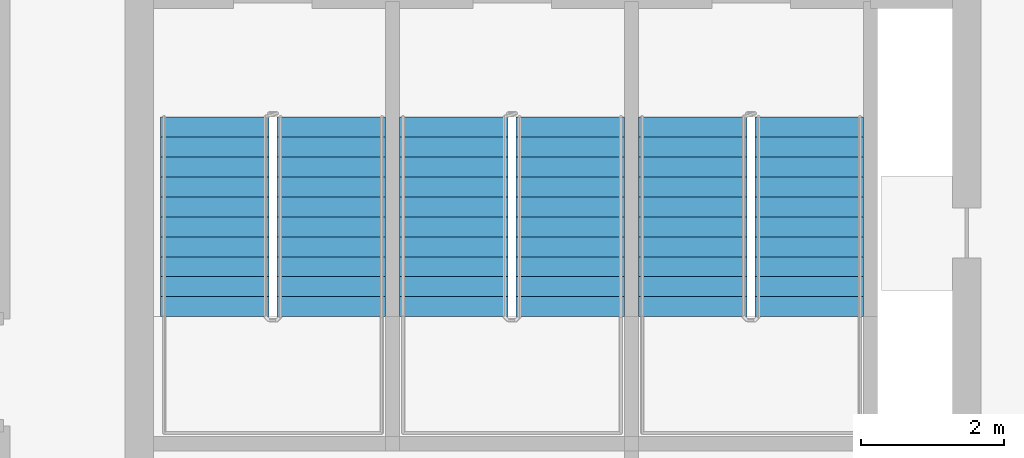
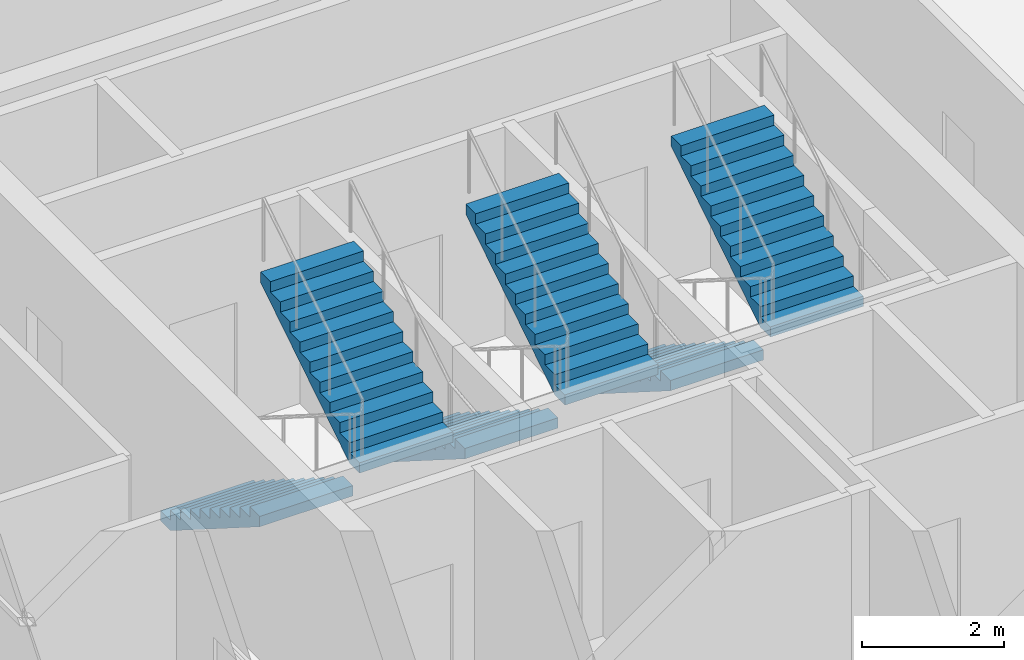
# One storey, part 9 of 11: 6 stair flights, 3 elements without a shape of their own.
"""IFC4 building model written with IfcOpenShell, lengths in metres."""

from ifc_helpers import new_model, si_unit, direction, frame, origin, place, context, subcontext, project, spatial, polyline, outline, extrude, material, type_object, element, aggregate, save


model = new_model("IFC4")

# Units and contexts
model_context = context("Model", 3, precision=1e-05, world=origin(), true_north=direction((0.0, 1.0)))
body_context = subcontext(model_context, "Body", "Model", "MODEL_VIEW")
ifc_project = project(units=[si_unit("LENGTHUNIT", "METRE"), si_unit("AREAUNIT", "SQUARE_METRE"), si_unit("VOLUMEUNIT", "CUBIC_METRE"), si_unit("PLANEANGLEUNIT", "RADIAN"), si_unit("MASSUNIT", "GRAM", prefix="KILO")], contexts=[model_context])

# Site, building, storey
site_placement = place(None, origin())
site = spatial("IfcSite", under=ifc_project, at=site_placement, CompositionType="ELEMENT")
building_placement = place(site_placement, origin())
building = spatial("IfcBuilding", under=site, at=building_placement, Name="Tessera Arch", CompositionType="ELEMENT")
storey_placement = place(building_placement, frame((0.0, 0.0, 211.10009765625)))
storey = spatial("IfcBuildingStorey", under=building, at=storey_placement, Name="L50", CompositionType="ELEMENT", Elevation=211.10009765625)

# Stair, stair flights
ifc_material_1 = material(Name="Concrete C40/50", Category="concrete")
stair_type = type_object("IfcStairType", Name="Dogleg stair 1520", PredefinedType="HALF_TURN_STAIR", material=ifc_material_1)
stair_1_placement = place(storey_placement, origin())
stair_1 = element("IfcStair", 1, at=stair_1_placement, inside=storey, type_object=stair_type, Name="L50 S1a", PredefinedType="HALF_TURN_STAIR")
ifc_material_2 = material(Name="Concrete C40/50", Category="concrete")
stair_flight_type = type_object("IfcStairFlightType", Name="Stair flight 1520", PredefinedType="STRAIGHT", material=ifc_material_2)
stair_flight_1_placement = place(storey_placement, frame((37.4599609375, 43.580078125, 0.0), z_axis=(0.0, 0.0, 1.0), x_axis=(0.0, -1.0, 0.0)))
stair_flight_1 = element("IfcStairFlight", 2, at=stair_flight_1_placement, type_object=stair_flight_type, Name="S1a flight 1", NumberOfRisers=11, NumberOfTreads=10, PredefinedType="STRAIGHT", RiserHeight=0.177272727, TreadLength=0.28, context=body_context, shape_type="SweptSolid", body=[
    extrude(outline(polyline([(0.0, 0.0), (0.0, 0.17724609375), (0.280029296875, 0.17724609375), (0.280029296875, 0.3544921875), (0.56005859375, 0.3544921875), (0.56005859375, 0.53173828125), (0.840087890625, 0.53173828125), (0.840087890625, 0.708984375), (1.1201171875, 0.708984375), (1.1201171875, 0.886474609375), (1.39990234375, 0.886474609375), (1.39990234375, 1.063720703125), (1.679931640625, 1.063720703125), (1.679931640625, 1.240966796875), (1.9599609375, 1.240966796875), (1.9599609375, 1.418212890625), (2.239990234375, 1.418212890625), (2.239990234375, 1.595458984375), (2.52001953125, 1.595458984375), (2.52001953125, 1.772705078125), (2.800048828125, 1.772705078125), (2.800048828125, 1.949951171875), (2.800048828125, 1.59521484375), (0.2802734375, 0.0), (0.0, 0.0)])), frame((0.0, 0.760009765625, 0.0), z_axis=(0.0, -1.0, 0.0), x_axis=(1.0, 0.0, 0.0)), (0.0, 0.0, 1.0), 1.52001953125),
])
stair_flight_2_placement = place(storey_placement, frame((39.090087890625, 40.780029296875, 1.949951171875), z_axis=(0.0, 0.0, 1.0), x_axis=(0.0, 1.0, 0.0)))
stair_flight_2 = element("IfcStairFlight", 3, at=stair_flight_2_placement, type_object=stair_flight_type, Name="S1a flight 2", NumberOfRisers=11, NumberOfTreads=10, PredefinedType="STRAIGHT", RiserHeight=0.177272727, TreadLength=0.28, context=body_context, shape_type="SweptSolid", body=[
    extrude(outline(polyline([(0.0, 0.0), (0.0, 0.17724609375), (0.280029296875, 0.17724609375), (0.280029296875, 0.3544921875), (0.56005859375, 0.3544921875), (0.56005859375, 0.53173828125), (0.840087890625, 0.53173828125), (0.840087890625, 0.708984375), (1.1201171875, 0.708984375), (1.1201171875, 0.886474609375), (1.39990234375, 0.886474609375), (1.39990234375, 1.063720703125), (1.679931640625, 1.063720703125), (1.679931640625, 1.240966796875), (1.9599609375, 1.240966796875), (1.9599609375, 1.418212890625), (2.239990234375, 1.418212890625), (2.239990234375, 1.595458984375), (2.52001953125, 1.595458984375), (2.52001953125, 1.772705078125), (2.800048828125, 1.772705078125), (2.800048828125, 1.949951171875), (2.800048828125, 1.59521484375), (0.2802734375, 0.0), (0.0, 0.0)])), frame((0.0, 0.760009765625, 0.0), z_axis=(0.0, -1.0, 0.0), x_axis=(1.0, 0.0, 0.0)), (0.0, 0.0, 1.0), 1.52001953125),
])
aggregate(stair_1, [stair_flight_1, stair_flight_2])

stair_2_placement = place(storey_placement, origin())
stair_2 = element("IfcStair", 4, at=stair_2_placement, inside=storey, type_object=stair_type, Name="L50 S1b", PredefinedType="HALF_TURN_STAIR")
stair_flight_3_placement = place(storey_placement, frame((40.81005859375, 43.580078125, 0.0), z_axis=(0.0, 0.0, 1.0), x_axis=(0.0, -1.0, 0.0)))
stair_flight_3 = element("IfcStairFlight", 5, at=stair_flight_3_placement, type_object=stair_flight_type, Name="S1b flight 1", NumberOfRisers=11, NumberOfTreads=10, PredefinedType="STRAIGHT", RiserHeight=0.177272727, TreadLength=0.28, context=body_context, shape_type="SweptSolid", body=[
    extrude(outline(polyline([(0.0, 0.0), (0.0, 0.17724609375), (0.280029296875, 0.17724609375), (0.280029296875, 0.3544921875), (0.56005859375, 0.3544921875), (0.56005859375, 0.53173828125), (0.840087890625, 0.53173828125), (0.840087890625, 0.708984375), (1.1201171875, 0.708984375), (1.1201171875, 0.886474609375), (1.39990234375, 0.886474609375), (1.39990234375, 1.063720703125), (1.679931640625, 1.063720703125), (1.679931640625, 1.240966796875), (1.9599609375, 1.240966796875), (1.9599609375, 1.418212890625), (2.239990234375, 1.418212890625), (2.239990234375, 1.595458984375), (2.52001953125, 1.595458984375), (2.52001953125, 1.772705078125), (2.800048828125, 1.772705078125), (2.800048828125, 1.949951171875), (2.800048828125, 1.59521484375), (0.2802734375, 0.0), (0.0, 0.0)])), frame((0.0, 0.760009765625, 0.0), z_axis=(0.0, -1.0, 0.0), x_axis=(1.0, 0.0, 0.0)), (0.0, 0.0, 1.0), 1.52001953125),
])
stair_flight_4_placement = place(storey_placement, frame((42.43994140625, 40.780029296875, 1.949951171875), z_axis=(0.0, 0.0, 1.0), x_axis=(0.0, 1.0, 0.0)))
stair_flight_4 = element("IfcStairFlight", 6, at=stair_flight_4_placement, type_object=stair_flight_type, Name="S1b flight 2", NumberOfRisers=11, NumberOfTreads=10, PredefinedType="STRAIGHT", RiserHeight=0.177272727, TreadLength=0.28, context=body_context, shape_type="SweptSolid", body=[
    extrude(outline(polyline([(0.0, 0.0), (0.0, 0.17724609375), (0.280029296875, 0.17724609375), (0.280029296875, 0.3544921875), (0.56005859375, 0.3544921875), (0.56005859375, 0.53173828125), (0.840087890625, 0.53173828125), (0.840087890625, 0.708984375), (1.1201171875, 0.708984375), (1.1201171875, 0.886474609375), (1.39990234375, 0.886474609375), (1.39990234375, 1.063720703125), (1.679931640625, 1.063720703125), (1.679931640625, 1.240966796875), (1.9599609375, 1.240966796875), (1.9599609375, 1.418212890625), (2.239990234375, 1.418212890625), (2.239990234375, 1.595458984375), (2.52001953125, 1.595458984375), (2.52001953125, 1.772705078125), (2.800048828125, 1.772705078125), (2.800048828125, 1.949951171875), (2.800048828125, 1.59521484375), (0.2802734375, 0.0), (0.0, 0.0)])), frame((0.0, 0.760009765625, 0.0), z_axis=(0.0, -1.0, 0.0), x_axis=(1.0, 0.0, 0.0)), (0.0, 0.0, 1.0), 1.52001953125),
])
aggregate(stair_2, [stair_flight_3, stair_flight_4])

stair_3_placement = place(storey_placement, origin())
stair_3 = element("IfcStair", 7, at=stair_3_placement, inside=storey, type_object=stair_type, Name="L50 S1c", PredefinedType="HALF_TURN_STAIR")
stair_flight_5_placement = place(storey_placement, frame((44.159912109375, 43.580078125, 0.0), z_axis=(0.0, 0.0, 1.0), x_axis=(0.0, -1.0, 0.0)))
stair_flight_5 = element("IfcStairFlight", 8, at=stair_flight_5_placement, type_object=stair_flight_type, Name="S1c flight 1", NumberOfRisers=11, NumberOfTreads=10, PredefinedType="STRAIGHT", RiserHeight=0.177272727, TreadLength=0.28, context=body_context, shape_type="SweptSolid", body=[
    extrude(outline(polyline([(0.0, 0.0), (0.0, 0.17724609375), (0.280029296875, 0.17724609375), (0.280029296875, 0.3544921875), (0.56005859375, 0.3544921875), (0.56005859375, 0.53173828125), (0.840087890625, 0.53173828125), (0.840087890625, 0.708984375), (1.1201171875, 0.708984375), (1.1201171875, 0.886474609375), (1.39990234375, 0.886474609375), (1.39990234375, 1.063720703125), (1.679931640625, 1.063720703125), (1.679931640625, 1.240966796875), (1.9599609375, 1.240966796875), (1.9599609375, 1.418212890625), (2.239990234375, 1.418212890625), (2.239990234375, 1.595458984375), (2.52001953125, 1.595458984375), (2.52001953125, 1.772705078125), (2.800048828125, 1.772705078125), (2.800048828125, 1.949951171875), (2.800048828125, 1.59521484375), (0.2802734375, 0.0), (0.0, 0.0)])), frame((0.0, 0.760009765625, 0.0), z_axis=(0.0, -1.0, 0.0), x_axis=(1.0, 0.0, 0.0)), (0.0, 0.0, 1.0), 1.52001953125),
])
stair_flight_6_placement = place(storey_placement, frame((45.7900390625, 40.780029296875, 1.949951171875), z_axis=(0.0, 0.0, 1.0), x_axis=(0.0, 1.0, 0.0)))
stair_flight_6 = element("IfcStairFlight", 9, at=stair_flight_6_placement, type_object=stair_flight_type, Name="S1c flight 2", NumberOfRisers=11, NumberOfTreads=10, PredefinedType="STRAIGHT", RiserHeight=0.177272727, TreadLength=0.28, context=body_context, shape_type="SweptSolid", body=[
    extrude(outline(polyline([(0.0, 0.0), (0.0, 0.17724609375), (0.280029296875, 0.17724609375), (0.280029296875, 0.3544921875), (0.56005859375, 0.3544921875), (0.56005859375, 0.53173828125), (0.840087890625, 0.53173828125), (0.840087890625, 0.708984375), (1.1201171875, 0.708984375), (1.1201171875, 0.886474609375), (1.39990234375, 0.886474609375), (1.39990234375, 1.063720703125), (1.679931640625, 1.063720703125), (1.679931640625, 1.240966796875), (1.9599609375, 1.240966796875), (1.9599609375, 1.418212890625), (2.239990234375, 1.418212890625), (2.239990234375, 1.595458984375), (2.52001953125, 1.595458984375), (2.52001953125, 1.772705078125), (2.800048828125, 1.772705078125), (2.800048828125, 1.949951171875), (2.800048828125, 1.59521484375), (0.2802734375, 0.0), (0.0, 0.0)])), frame((0.0, 0.760009765625, 0.0), z_axis=(0.0, -1.0, 0.0), x_axis=(1.0, 0.0, 0.0)), (0.0, 0.0, 1.0), 1.52001953125),
])
aggregate(stair_3, [stair_flight_5, stair_flight_6])

save(model, "model.ifc")
